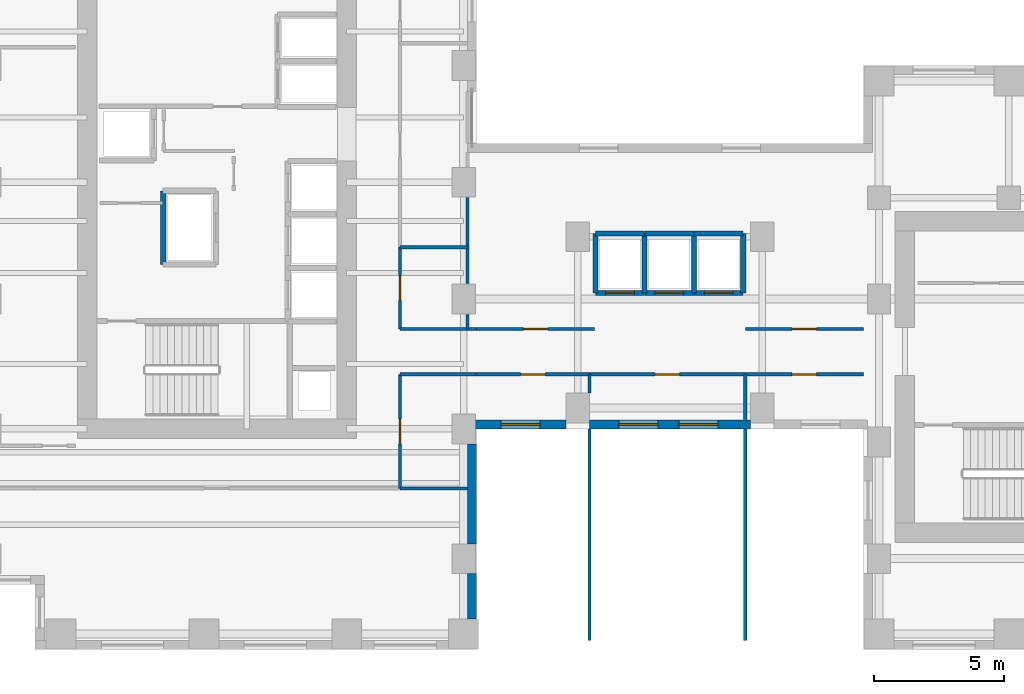
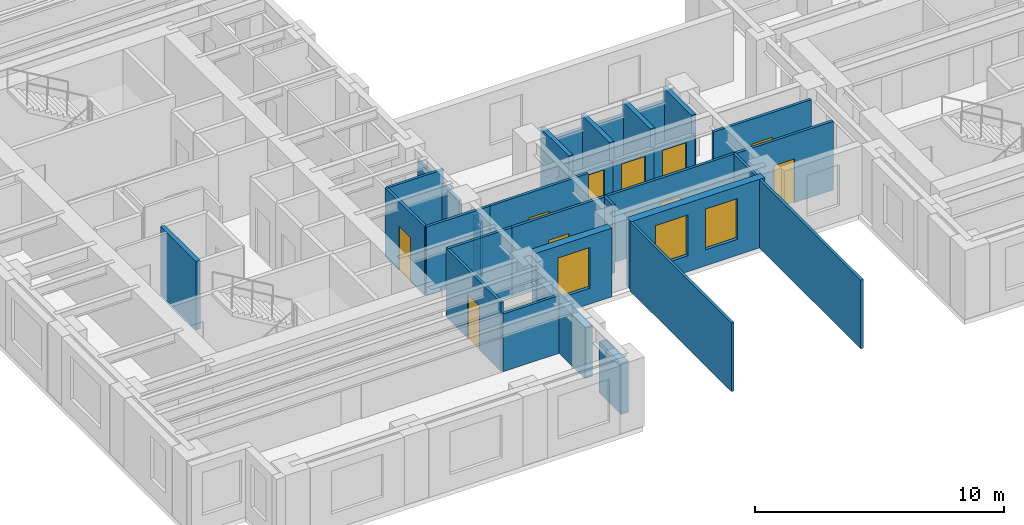
# One storey, part 6 of 13: 32 walls, 10 doors, 3 windows, 13 openings.
"""IFC4 building model written with IfcOpenShell, lengths in metres."""

from ifc_helpers import new_model, si_unit, direction, frame, frame_2d, origin, place, context, subcontext, project, spatial, rectangle, extrude, source, transform, mapped, material, layer, layer_set, type_object, element, fill, save


model = new_model("IFC4")

# Units and contexts
model_context = context("Model", 3, precision=1e-05, world=origin(), true_north=direction((0.0, 1.0)))
body_context = subcontext(model_context, "Body", "Model", "MODEL_VIEW")
ifc_project = project(units=[si_unit("LENGTHUNIT", "METRE"), si_unit("AREAUNIT", "SQUARE_METRE"), si_unit("VOLUMEUNIT", "CUBIC_METRE"), si_unit("PLANEANGLEUNIT", "RADIAN"), si_unit("MASSUNIT", "GRAM", prefix="KILO")], contexts=[model_context])

# Site, building, storey
site_placement = place(None, origin())
site = spatial("IfcSite", under=ifc_project, at=site_placement, CompositionType="ELEMENT")
building_placement = place(site_placement, origin())
building = spatial("IfcBuilding", under=site, at=building_placement, Name="Kharzan Plaza Tower", CompositionType="ELEMENT")
storey_placement = place(building_placement, frame((0.0, 0.0, 109.800048828125)))
storey = spatial("IfcBuildingStorey", under=building, at=storey_placement, Name="L29", CompositionType="ELEMENT", Elevation=109.800048828125)

# Wall, opening, window
ifc_material_1 = material(Name="Concrete C40/50", Category="concrete")
ifc_layer_1 = layer(ifc_material_1, 0.35009765625)
ifc_layer_set_1 = layer_set([ifc_layer_1], Name="Concrete C40/50")
wall_type_1 = type_object("IfcWallType", Name="WL-EXT-MAS-Z2", PredefinedType="SOLIDWALL", material=ifc_layer_set_1)
wall_1_placement = place(storey_placement, frame((19.447998046875, 8.675048828125, 0.0), z_axis=(0.0, 0.0, 1.0), x_axis=(1.0, 0.0, 0.0)))
wall_1 = element("IfcWall", 1, at=wall_1_placement, inside=storey, type_object=wall_type_1, Name="L29 Masonry-Frame Exterior Wall 34", PredefinedType="SOLIDWALL", context=body_context, shape_type="SweptSolid", body=[
    extrude(rectangle(XDim=3.50390625, YDim=0.35009765625, at=frame_2d((1.751953125, 0.0))), origin(), (0.0, 0.0, 1.0), 3.364990234375),
])
opening_1_placement = place(wall_1_placement, frame((1.001953125, 0.0, 0.780029296875)))
opening_1 = element("IfcOpeningElement", 2, at=opening_1_placement, cuts=wall_1, Name="Opening W5", PredefinedType="OPENING", context=body_context, shape_type="SweptSolid", body=[
    extrude(rectangle(XDim=1.5, YDim=2.0, at=frame_2d((0.75, 1.0))), frame((0.0, 0.18505859375, 0.0), z_axis=(0.0, -1.0, 0.0), x_axis=(1.0, 0.0, 0.0)), (0.0, 0.0, 1.0), 0.3701171875),
])
ifc_material_2 = material(Name="Low-E Double Glazing", Category="glass")
window_type = type_object("IfcWindowType", Name="WN-SLT-1500x2000", PartitioningType="SINGLE_PANEL", PredefinedType="WINDOW", material=ifc_material_2)
shared_shape_1 = source(origin(), body_context, "Body", "SweptSolid", [
    extrude(rectangle(XDim=1.5, YDim=2.0, at=frame_2d((0.75, 1.0))), frame((0.0, 0.030029296875, 0.0), z_axis=(0.0, -1.0, 0.0), x_axis=(1.0, 0.0, 0.0)), (0.0, 0.0, 1.0), 0.06005859375),
])
window_1_placement = place(opening_1_placement, origin())
window_1 = element("IfcWindow", 3, at=window_1_placement, inside=storey, type_object=window_type, Name="L29 Recessed Solar-Control Window 34-1", OverallHeight=2.0, OverallWidth=1.5, PartitioningType="SINGLE_PANEL", PredefinedType="WINDOW", context=body_context, shape_type="MappedRepresentation", body=[
    mapped(shared_shape_1, transform((0.0, 0.0, 0.0), x_axis=(1.0, 0.0, 0.0), y_axis=(0.0, 1.0, 0.0), z_axis=(0.0, 0.0, 1.0))),
])
fill(opening_1, window_1)

# Wall, openings, windows
wall_2_placement = place(storey_placement, frame((23.847900390625, 8.675048828125, 0.0), z_axis=(0.0, 0.0, 1.0), x_axis=(1.0, 0.0, 0.0)))
wall_2 = element("IfcWall", 4, at=wall_2_placement, inside=storey, type_object=wall_type_1, Name="L29 Masonry-Frame Exterior Wall 35", PredefinedType="SOLIDWALL", context=body_context, shape_type="SweptSolid", body=[
    extrude(rectangle(XDim=6.2041015625, YDim=0.35009765625, at=frame_2d((3.10205078125, 0.0))), origin(), (0.0, 0.0, 1.0), 3.364990234375),
])
opening_2_placement = place(wall_2_placement, frame((1.130615234375, 0.0, 0.780029296875)))
opening_2 = element("IfcOpeningElement", 5, at=opening_2_placement, cuts=wall_2, Name="Opening W5", PredefinedType="OPENING", context=body_context, shape_type="SweptSolid", body=[
    extrude(rectangle(XDim=1.5, YDim=2.0, at=frame_2d((0.75, 1.0))), frame((0.0, 0.18505859375, 0.0), z_axis=(0.0, -1.0, 0.0), x_axis=(1.0, 0.0, 0.0)), (0.0, 0.0, 1.0), 0.3701171875),
])
opening_3_placement = place(wall_2_placement, frame((3.44140625, 0.0, 0.780029296875)))
opening_3 = element("IfcOpeningElement", 6, at=opening_3_placement, cuts=wall_2, Name="Opening W5", PredefinedType="OPENING", context=body_context, shape_type="SweptSolid", body=[
    extrude(rectangle(XDim=1.5, YDim=2.0, at=frame_2d((0.75, 1.0))), frame((0.0, 0.18505859375, 0.0), z_axis=(0.0, -1.0, 0.0), x_axis=(1.0, 0.0, 0.0)), (0.0, 0.0, 1.0), 0.3701171875),
])
window_2_placement = place(opening_2_placement, origin())
window_2 = element("IfcWindow", 7, at=window_2_placement, inside=storey, type_object=window_type, Name="L29 Recessed Solar-Control Window 35-1", OverallHeight=2.0, OverallWidth=1.5, PartitioningType="SINGLE_PANEL", PredefinedType="WINDOW", context=body_context, shape_type="MappedRepresentation", body=[
    mapped(shared_shape_1, transform((0.0, 0.0, 0.0), x_axis=(1.0, 0.0, 0.0), y_axis=(0.0, 1.0, 0.0), z_axis=(0.0, 0.0, 1.0))),
])
fill(opening_2, window_2)
window_3_placement = place(opening_3_placement, origin())
window_3 = element("IfcWindow", 8, at=window_3_placement, inside=storey, type_object=window_type, Name="L29 Recessed Solar-Control Window 35-2", OverallHeight=2.0, OverallWidth=1.5, PartitioningType="SINGLE_PANEL", PredefinedType="WINDOW", context=body_context, shape_type="MappedRepresentation", body=[
    mapped(shared_shape_1, transform((0.0, 0.0, 0.0), x_axis=(1.0, 0.0, 0.0), y_axis=(0.0, 1.0, 0.0), z_axis=(0.0, 0.0, 1.0))),
])
fill(opening_3, window_3)

# Wall, opening, door
ifc_material_3 = material(Name="Fire-Rated Gypsum Board Partition", Category="gypsum")
ifc_layer_2 = layer(ifc_material_3, 0.125)
ifc_layer_set_2 = layer_set([ifc_layer_2], Name="Fire-Rated Gypsum Board Partition")
wall_type_2 = type_object("IfcWallType", Name="WL-INT-PART-125", PredefinedType="PARTITIONING", material=ifc_layer_set_2)
wall_3_placement = place(storey_placement, frame((16.550048828125, 12.35009765625, 0.0), z_axis=(0.0, 0.0, 1.0), x_axis=(0.0, 1.0, 0.0)))
wall_3 = element("IfcWall", 9, at=wall_3_placement, inside=storey, type_object=wall_type_2, Name="L29 Interior Partition SH-AEWN1", PredefinedType="PARTITIONING", context=body_context, shape_type="SweptSolid", body=[
    extrude(rectangle(XDim=3.14990234375, YDim=0.125, at=frame_2d((1.574951171875, 0.0))), origin(), (0.0, 0.0, 1.0), 3.364990234375),
])
opening_4_placement = place(wall_3_placement, frame((1.10009765625, 0.0, 0.0)))
opening_4 = element("IfcOpeningElement", 10, at=opening_4_placement, cuts=wall_3, Name="Opening OD1", PredefinedType="OPENING", context=body_context, shape_type="SweptSolid", body=[
    extrude(rectangle(XDim=0.949951171875, YDim=2.14990234375, at=frame_2d((0.47509765625, 1.074951171875))), frame((0.0, 0.072509765625, 0.0), z_axis=(0.0, -1.0, 0.0), x_axis=(1.0, 0.0, 0.0)), (0.0, 0.0, 1.0), 0.14501953125),
])
ifc_material_4 = material(Name="Acoustic Solid-Core Stained Oak", Category="timber")
door_type_1 = type_object("IfcDoorType", Name="DR-OFF-SINGLE", OperationType="NOTDEFINED", PredefinedType="DOOR", material=ifc_material_4)
shared_shape_2 = source(origin(), body_context, "Body", "SweptSolid", [
    extrude(rectangle(XDim=0.949951171875, YDim=2.14990234375, at=frame_2d((0.47509765625, 1.074951171875))), frame((0.0, 0.02490234375, 0.0), z_axis=(0.0, -1.0, 0.0), x_axis=(1.0, 0.0, 0.0)), (0.0, 0.0, 1.0), 0.050048828125),
])
door_1_placement = place(opening_4_placement, origin())
door_1 = element("IfcDoor", 11, at=door_1_placement, inside=storey, type_object=door_type_1, Name="L29 Slot Collaboration Door", OperationType="SINGLE_SWING_RIGHT", OverallHeight=2.14990234375, OverallWidth=0.949951171875, PredefinedType="DOOR", context=body_context, shape_type="MappedRepresentation", body=[
    mapped(shared_shape_2, transform((0.0, 0.0, 0.0), x_axis=(1.0, 0.0, 0.0), y_axis=(0.0, 1.0, 0.0), z_axis=(0.0, 0.0, 1.0))),
])
fill(opening_4, door_1)

wall_4_placement = place(storey_placement, frame((16.550048828125, 6.199951171875, 0.0), z_axis=(0.0, 0.0, 1.0), x_axis=(0.0, 1.0, 0.0)))
wall_4 = element("IfcWall", 12, at=wall_4_placement, inside=storey, type_object=wall_type_2, Name="L29 Interior Partition SH-AEWS", PredefinedType="PARTITIONING", context=body_context, shape_type="SweptSolid", body=[
    extrude(rectangle(XDim=4.400146484375, YDim=0.125, at=frame_2d((2.2001953125, 0.0))), origin(), (0.0, 0.0, 1.0), 3.364990234375),
])
opening_5_placement = place(wall_4_placement, frame((1.72509765625, 0.0, 0.0)))
opening_5 = element("IfcOpeningElement", 13, at=opening_5_placement, cuts=wall_4, Name="Opening OD1", PredefinedType="OPENING", context=body_context, shape_type="SweptSolid", body=[
    extrude(rectangle(XDim=0.949951171875, YDim=2.14990234375, at=frame_2d((0.47509765625, 1.074951171875))), frame((0.0, 0.072509765625, 0.0), z_axis=(0.0, -1.0, 0.0), x_axis=(1.0, 0.0, 0.0)), (0.0, 0.0, 1.0), 0.14501953125),
])
door_2_placement = place(opening_5_placement, origin())
door_2 = element("IfcDoor", 14, at=door_2_placement, inside=storey, type_object=door_type_1, Name="L29 Slot South Office Door", OperationType="SINGLE_SWING_LEFT", OverallHeight=2.14990234375, OverallWidth=0.949951171875, PredefinedType="DOOR", context=body_context, shape_type="MappedRepresentation", body=[
    mapped(shared_shape_2, transform((0.0, 0.0, 0.0), x_axis=(1.0, 0.0, 0.0), y_axis=(0.0, 1.0, 0.0), z_axis=(0.0, 0.0, 1.0))),
])
fill(opening_5, door_2)

wall_5_placement = place(storey_placement, frame((29.85009765625, 12.35009765625, 0.0), z_axis=(0.0, 0.0, 1.0), x_axis=(1.0, 0.0, 0.0)))
wall_5 = element("IfcWall", 15, at=wall_5_placement, inside=storey, type_object=wall_type_2, Name="L29 Interior Partition SH-SPNE1", PredefinedType="PARTITIONING", context=body_context, shape_type="SweptSolid", body=[
    extrude(rectangle(XDim=4.5498046875, YDim=0.125, at=frame_2d((2.27490234375, 0.0))), origin(), (0.0, 0.0, 1.0), 3.364990234375),
])
opening_6_placement = place(wall_5_placement, frame((1.800048828125, 0.0, 0.0)))
opening_6 = element("IfcOpeningElement", 16, at=opening_6_placement, cuts=wall_5, Name="Opening OD1", PredefinedType="OPENING", context=body_context, shape_type="SweptSolid", body=[
    extrude(rectangle(XDim=0.949951171875, YDim=2.14990234375, at=frame_2d((0.47509765625, 1.074951171875))), frame((0.0, 0.072509765625, 0.0), z_axis=(0.0, -1.0, 0.0), x_axis=(1.0, 0.0, 0.0)), (0.0, 0.0, 1.0), 0.14501953125),
])
door_3_placement = place(opening_6_placement, origin())
door_3 = element("IfcDoor", 17, at=door_3_placement, inside=storey, type_object=door_type_1, Name="L29 North-East Spine Door", OperationType="SINGLE_SWING_RIGHT", OverallHeight=2.14990234375, OverallWidth=0.949951171875, PredefinedType="DOOR", context=body_context, shape_type="MappedRepresentation", body=[
    mapped(shared_shape_2, transform((0.0, 0.0, 0.0), x_axis=(1.0, 0.0, 0.0), y_axis=(0.0, 1.0, 0.0), z_axis=(0.0, 0.0, 1.0))),
])
fill(opening_6, door_3)

wall_6_placement = place(storey_placement, frame((19.5, 12.35009765625, 0.0), z_axis=(0.0, 0.0, 1.0), x_axis=(1.0, 0.0, 0.0)))
wall_6 = element("IfcWall", 18, at=wall_6_placement, inside=storey, type_object=wall_type_2, Name="L29 Interior Partition SH-SPNW1", PredefinedType="PARTITIONING", context=body_context, shape_type="SweptSolid", body=[
    extrude(rectangle(XDim=4.550048828125, YDim=0.125, at=frame_2d((2.27490234375, 0.0))), origin(), (0.0, 0.0, 1.0), 3.364990234375),
])
opening_7_placement = place(wall_6_placement, frame((1.800048828125, 0.0, 0.0)))
opening_7 = element("IfcOpeningElement", 19, at=opening_7_placement, cuts=wall_6, Name="Opening OD1", PredefinedType="OPENING", context=body_context, shape_type="SweptSolid", body=[
    extrude(rectangle(XDim=0.949951171875, YDim=2.14990234375, at=frame_2d((0.47509765625, 1.074951171875))), frame((0.0, 0.072509765625, 0.0), z_axis=(0.0, -1.0, 0.0), x_axis=(1.0, 0.0, 0.0)), (0.0, 0.0, 1.0), 0.14501953125),
])
door_4_placement = place(opening_7_placement, origin())
door_4 = element("IfcDoor", 20, at=door_4_placement, inside=storey, type_object=door_type_1, Name="L29 North-West Spine Door", OperationType="SINGLE_SWING_LEFT", OverallHeight=2.14990234375, OverallWidth=0.949951171875, PredefinedType="DOOR", context=body_context, shape_type="MappedRepresentation", body=[
    mapped(shared_shape_2, transform((0.0, 0.0, 0.0), x_axis=(1.0, 0.0, 0.0), y_axis=(0.0, 1.0, 0.0), z_axis=(0.0, 0.0, 1.0))),
])
fill(opening_7, door_4)

wall_7_placement = place(storey_placement, frame((19.5, 10.60009765625, 0.0), z_axis=(0.0, 0.0, 1.0), x_axis=(1.0, 0.0, 0.0)))
wall_7 = element("IfcWall", 21, at=wall_7_placement, inside=storey, type_object=wall_type_2, Name="L29 Interior Partition SH-SPS1", PredefinedType="PARTITIONING", context=body_context, shape_type="SweptSolid", body=[
    extrude(rectangle(XDim=4.35009765625, YDim=0.125, at=frame_2d((2.175048828125, 0.0))), origin(), (0.0, 0.0, 1.0), 3.364990234375),
])
opening_8_placement = place(wall_7_placement, frame((1.699951171875, 0.0, 0.0)))
opening_8 = element("IfcOpeningElement", 22, at=opening_8_placement, cuts=wall_7, Name="Opening OD1", PredefinedType="OPENING", context=body_context, shape_type="SweptSolid", body=[
    extrude(rectangle(XDim=0.949951171875, YDim=2.14990234375, at=frame_2d((0.47509765625, 1.074951171875))), frame((0.0, 0.072509765625, 0.0), z_axis=(0.0, -1.0, 0.0), x_axis=(1.0, 0.0, 0.0)), (0.0, 0.0, 1.0), 0.14501953125),
])
door_5_placement = place(opening_8_placement, origin())
door_5 = element("IfcDoor", 23, at=door_5_placement, inside=storey, type_object=door_type_1, Name="L29 Spine Studio 1 Door", OperationType="SINGLE_SWING_RIGHT", OverallHeight=2.14990234375, OverallWidth=0.949951171875, PredefinedType="DOOR", context=body_context, shape_type="MappedRepresentation", body=[
    mapped(shared_shape_2, transform((0.0, 0.0, 0.0), x_axis=(1.0, 0.0, 0.0), y_axis=(0.0, 1.0, 0.0), z_axis=(0.0, 0.0, 1.0))),
])
fill(opening_8, door_5)

wall_8_placement = place(storey_placement, frame((23.85009765625, 10.60009765625, 0.0), z_axis=(0.0, 0.0, 1.0), x_axis=(1.0, 0.0, 0.0)))
wall_8 = element("IfcWall", 24, at=wall_8_placement, inside=storey, type_object=wall_type_2, Name="L29 Interior Partition SH-SPS2", PredefinedType="PARTITIONING", context=body_context, shape_type="SweptSolid", body=[
    extrude(rectangle(XDim=6.0, YDim=0.125, at=frame_2d((3.0, 0.0))), origin(), (0.0, 0.0, 1.0), 3.364990234375),
])
opening_9_placement = place(wall_8_placement, frame((2.52490234375, 0.0, 0.0)))
opening_9 = element("IfcOpeningElement", 25, at=opening_9_placement, cuts=wall_8, Name="Opening OD1", PredefinedType="OPENING", context=body_context, shape_type="SweptSolid", body=[
    extrude(rectangle(XDim=0.949951171875, YDim=2.14990234375, at=frame_2d((0.47509765625, 1.074951171875))), frame((0.0, 0.072509765625, 0.0), z_axis=(0.0, -1.0, 0.0), x_axis=(1.0, 0.0, 0.0)), (0.0, 0.0, 1.0), 0.14501953125),
])
door_6_placement = place(opening_9_placement, origin())
door_6 = element("IfcDoor", 26, at=door_6_placement, inside=storey, type_object=door_type_1, Name="L29 Spine Studio 2 Door", OperationType="SINGLE_SWING_LEFT", OverallHeight=2.14990234375, OverallWidth=0.949951171875, PredefinedType="DOOR", context=body_context, shape_type="MappedRepresentation", body=[
    mapped(shared_shape_2, transform((0.0, 0.0, 0.0), x_axis=(1.0, 0.0, 0.0), y_axis=(0.0, 1.0, 0.0), z_axis=(0.0, 0.0, 1.0))),
])
fill(opening_9, door_6)

wall_9_placement = place(storey_placement, frame((29.85009765625, 10.60009765625, 0.0), z_axis=(0.0, 0.0, 1.0), x_axis=(1.0, 0.0, 0.0)))
wall_9 = element("IfcWall", 27, at=wall_9_placement, inside=storey, type_object=wall_type_2, Name="L29 Interior Partition SH-SPS3", PredefinedType="PARTITIONING", context=body_context, shape_type="SweptSolid", body=[
    extrude(rectangle(XDim=4.5498046875, YDim=0.125, at=frame_2d((2.27490234375, 0.0))), origin(), (0.0, 0.0, 1.0), 3.364990234375),
])
opening_10_placement = place(wall_9_placement, frame((1.800048828125, 0.0, 0.0)))
opening_10 = element("IfcOpeningElement", 28, at=opening_10_placement, cuts=wall_9, Name="Opening OD1", PredefinedType="OPENING", context=body_context, shape_type="SweptSolid", body=[
    extrude(rectangle(XDim=0.949951171875, YDim=2.14990234375, at=frame_2d((0.47509765625, 1.074951171875))), frame((0.0, 0.072509765625, 0.0), z_axis=(0.0, -1.0, 0.0), x_axis=(1.0, 0.0, 0.0)), (0.0, 0.0, 1.0), 0.14501953125),
])
door_7_placement = place(opening_10_placement, origin())
door_7 = element("IfcDoor", 29, at=door_7_placement, inside=storey, type_object=door_type_1, Name="L29 Spine Studio 3 Door", OperationType="SINGLE_SWING_RIGHT", OverallHeight=2.14990234375, OverallWidth=0.949951171875, PredefinedType="DOOR", context=body_context, shape_type="MappedRepresentation", body=[
    mapped(shared_shape_2, transform((0.0, 0.0, 0.0), x_axis=(1.0, 0.0, 0.0), y_axis=(0.0, 1.0, 0.0), z_axis=(0.0, 0.0, 1.0))),
])
fill(opening_10, door_7)

ifc_layer_3 = layer(ifc_material_1, 0.199951171875)
ifc_layer_set_3 = layer_set([ifc_layer_3], Name="Concrete C40/50")
wall_type_3 = type_object("IfcWallType", Name="WL-INT-SHAFT-200", PredefinedType="PARTITIONING", material=ifc_layer_set_3)
wall_10_placement = place(storey_placement, frame((24.080078125, 13.72998046875, 0.0), z_axis=(0.0, 0.0, 1.0), x_axis=(1.0, 0.0, 0.0)))
wall_10 = element("IfcWall", 30, at=wall_10_placement, inside=storey, type_object=wall_type_3, Name="L29 Interior Partition SHF-PL-M1-S", PredefinedType="PARTITIONING", context=body_context, shape_type="SweptSolid", body=[
    extrude(rectangle(XDim=1.889892578125, YDim=0.199951171875, at=frame_2d((0.94482421875, 0.0))), origin(), (0.0, 0.0, 1.0), 2.446044921875),
])
opening_11_placement = place(wall_10_placement, frame((0.39501953125, 0.0, 0.0)))
opening_11 = element("IfcOpeningElement", 31, at=opening_11_placement, cuts=wall_10, Name="Opening LD", PredefinedType="OPENING", context=body_context, shape_type="SweptSolid", body=[
    extrude(rectangle(XDim=1.10009765625, YDim=2.199951171875, at=frame_2d((0.550048828125, 1.10009765625))), frame((0.0, 0.10986328125, 0.0), z_axis=(0.0, -1.0, 0.0), x_axis=(1.0, 0.0, 0.0)), (0.0, 0.0, 1.0), 0.219970703125),
])
ifc_material_5 = material(Name="Brushed Stainless Steel", Category="steel")
door_type_2 = type_object("IfcDoorType", Name="DR-LIFT-SLIDE", OperationType="SLIDING_TO_LEFT", PredefinedType="DOOR", material=ifc_material_5)
shared_shape_3 = source(origin(), body_context, "Body", "SweptSolid", [
    extrude(rectangle(XDim=1.10009765625, YDim=2.199951171875, at=frame_2d((0.550048828125, 1.10009765625))), frame((0.0, 0.02490234375, 0.0), z_axis=(0.0, -1.0, 0.0), x_axis=(1.0, 0.0, 0.0)), (0.0, 0.0, 1.0), 0.050048828125),
])
door_8_placement = place(opening_11_placement, origin())
door_8 = element("IfcDoor", 32, at=door_8_placement, inside=storey, type_object=door_type_2, Name="L29 Mid-Rise Passenger Lift PL-M1 Sliding Landing Door", OperationType="SLIDING_TO_LEFT", OverallHeight=2.199951171875, OverallWidth=1.10009765625, PredefinedType="DOOR", context=body_context, shape_type="MappedRepresentation", body=[
    mapped(shared_shape_3, transform((0.0, 0.0, 0.0), x_axis=(1.0, 0.0, 0.0), y_axis=(0.0, 1.0, 0.0), z_axis=(0.0, 0.0, 1.0))),
])
fill(opening_11, door_8)

wall_11_placement = place(storey_placement, frame((25.97998046875, 13.72998046875, 0.0), z_axis=(0.0, 0.0, 1.0), x_axis=(1.0, 0.0, 0.0)))
wall_11 = element("IfcWall", 33, at=wall_11_placement, inside=storey, type_object=wall_type_3, Name="L29 Interior Partition SHF-PL-M2-S", PredefinedType="PARTITIONING", context=body_context, shape_type="SweptSolid", body=[
    extrude(rectangle(XDim=1.89013671875, YDim=0.199951171875, at=frame_2d((0.945068359375, 0.0))), origin(), (0.0, 0.0, 1.0), 2.446044921875),
])
opening_12_placement = place(wall_11_placement, frame((0.39501953125, 0.0, 0.0)))
opening_12 = element("IfcOpeningElement", 34, at=opening_12_placement, cuts=wall_11, Name="Opening LD", PredefinedType="OPENING", context=body_context, shape_type="SweptSolid", body=[
    extrude(rectangle(XDim=1.10009765625, YDim=2.199951171875, at=frame_2d((0.550048828125, 1.10009765625))), frame((0.0, 0.10986328125, 0.0), z_axis=(0.0, -1.0, 0.0), x_axis=(1.0, 0.0, 0.0)), (0.0, 0.0, 1.0), 0.219970703125),
])
door_9_placement = place(opening_12_placement, origin())
door_9 = element("IfcDoor", 35, at=door_9_placement, inside=storey, type_object=door_type_2, Name="L29 Mid-Rise Passenger Lift PL-M2 Sliding Landing Door", OperationType="SLIDING_TO_LEFT", OverallHeight=2.199951171875, OverallWidth=1.10009765625, PredefinedType="DOOR", context=body_context, shape_type="MappedRepresentation", body=[
    mapped(shared_shape_3, transform((0.0, 0.0, 0.0), x_axis=(1.0, 0.0, 0.0), y_axis=(0.0, 1.0, 0.0), z_axis=(0.0, 0.0, 1.0))),
])
fill(opening_12, door_9)

wall_12_placement = place(storey_placement, frame((27.8798828125, 13.72998046875, 0.0), z_axis=(0.0, 0.0, 1.0), x_axis=(1.0, 0.0, 0.0)))
wall_12 = element("IfcWall", 36, at=wall_12_placement, inside=storey, type_object=wall_type_3, Name="L29 Interior Partition SHF-PL-M3-S", PredefinedType="PARTITIONING", context=body_context, shape_type="SweptSolid", body=[
    extrude(rectangle(XDim=1.89013671875, YDim=0.199951171875, at=frame_2d((0.945068359375, 0.0))), origin(), (0.0, 0.0, 1.0), 2.446044921875),
])
opening_13_placement = place(wall_12_placement, frame((0.39501953125, 0.0, 0.0)))
opening_13 = element("IfcOpeningElement", 37, at=opening_13_placement, cuts=wall_12, Name="Opening LD", PredefinedType="OPENING", context=body_context, shape_type="SweptSolid", body=[
    extrude(rectangle(XDim=1.10009765625, YDim=2.199951171875, at=frame_2d((0.550048828125, 1.10009765625))), frame((0.0, 0.10986328125, 0.0), z_axis=(0.0, -1.0, 0.0), x_axis=(1.0, 0.0, 0.0)), (0.0, 0.0, 1.0), 0.219970703125),
])
door_10_placement = place(opening_13_placement, origin())
door_10 = element("IfcDoor", 38, at=door_10_placement, inside=storey, type_object=door_type_2, Name="L29 Mid-Rise Passenger Lift PL-M3 Sliding Landing Door", OperationType="SLIDING_TO_LEFT", OverallHeight=2.199951171875, OverallWidth=1.10009765625, PredefinedType="DOOR", context=body_context, shape_type="MappedRepresentation", body=[
    mapped(shared_shape_3, transform((0.0, 0.0, 0.0), x_axis=(1.0, 0.0, 0.0), y_axis=(0.0, 1.0, 0.0), z_axis=(0.0, 0.0, 1.0))),
])
fill(opening_13, door_10)

# Walls
shared_shape_4 = source(origin(), body_context, "Body", "SweptSolid", [
    extrude(rectangle(XDim=2.949951171875, YDim=0.125, at=frame_2d((1.47509765625, 0.0))), origin(), (0.0, 0.0, 1.0), 3.364990234375),
])
for number, where, z_axis, x_axis, name in (
    (39, (16.550048828125, 12.35009765625, 0.0), (0.0, 0.0, 1.0), (1.0, 0.0, 0.0), "L29 Interior Partition SH-SPNW0"),
    (40, (16.550048828125, 10.60009765625, 0.0), (0.0, 0.0, 1.0), (1.0, 0.0, 0.0), "L29 Interior Partition SH-SPS0"),
):
    element("IfcWall", number, at=place(storey_placement, frame(where, z_axis=z_axis, x_axis=x_axis)), inside=storey, type_object=wall_type_2, Name=name, PredefinedType="PARTITIONING", context=body_context, shape_type="MappedRepresentation", body=[
        mapped(shared_shape_4, transform((0.0, 0.0, 0.0), x_axis=(1.0, 0.0, 0.0), y_axis=(0.0, 1.0, 0.0), z_axis=(0.0, 0.0, 1.0))),
    ])
shared_shape_5 = source(origin(), body_context, "Body", "SweptSolid", [
    extrude(rectangle(XDim=2.597900390625, YDim=0.125, at=frame_2d((1.298828125, 0.0))), origin(), (0.0, 0.0, 1.0), 2.827880859375),
])
wall_13_placement = place(storey_placement, frame((16.550048828125, 6.199951171875, 0.0), z_axis=(0.0, 0.0, 1.0), x_axis=(1.0, 0.0, 0.0)))
element("IfcWall", 41, at=wall_13_placement, inside=storey, type_object=wall_type_2, Name="L29 Interior Partition SH-SSE-1", PredefinedType="PARTITIONING", context=body_context, shape_type="MappedRepresentation", body=[
    mapped(shared_shape_5, transform((0.0, 0.0, 0.0), x_axis=(1.0, 0.0, 0.0), y_axis=(0.0, 1.0, 0.0), z_axis=(0.0, 0.0, 1.0))),
])
shared_shape_6 = source(origin(), body_context, "Body", "SweptSolid", [
    extrude(rectangle(XDim=2.2900390625, YDim=0.199951171875, at=frame_2d((1.14501953125, 0.0))), origin(), (0.0, 0.0, 1.0), 3.364990234375),
])
for number, where, z_axis, x_axis, name in (
    (42, (25.969970703125, 13.72998046875, 0.0), (0.0, 0.0, 1.0), (0.0, 1.0, 0.0), "L29 Interior Partition SHF-PL-M1-E"),
    (43, (24.080078125, 13.72998046875, 0.0), (0.0, 0.0, 1.0), (0.0, 1.0, 0.0), "L29 Interior Partition SHF-PL-M1-W"),
    (44, (27.8701171875, 13.72998046875, 0.0), (0.0, 0.0, 1.0), (0.0, 1.0, 0.0), "L29 Interior Partition SHF-PL-M2-E"),
    (45, (29.77001953125, 13.72998046875, 0.0), (0.0, 0.0, 1.0), (0.0, 1.0, 0.0), "L29 Interior Partition SHF-PL-M3-E"),
):
    element("IfcWall", number, at=place(storey_placement, frame(where, z_axis=z_axis, x_axis=x_axis)), inside=storey, type_object=wall_type_3, Name=name, PredefinedType="PARTITIONING", context=body_context, shape_type="MappedRepresentation", body=[
        mapped(shared_shape_6, transform((0.0, 0.0, 0.0), x_axis=(1.0, 0.0, 0.0), y_axis=(0.0, 1.0, 0.0), z_axis=(0.0, 0.0, 1.0))),
    ])
shared_shape_7 = source(origin(), body_context, "Body", "SweptSolid", [
    extrude(rectangle(XDim=2.83984375, YDim=0.199951171875, at=frame_2d((1.419921875, 0.0))), origin(), (0.0, 0.0, 1.0), 3.364990234375),
])
wall_14_placement = place(storey_placement, frame((7.429931640625, 14.830078125, 0.0), z_axis=(0.0, 0.0, 1.0), x_axis=(0.0, 1.0, 0.0)))
element("IfcWall", 46, at=wall_14_placement, inside=storey, type_object=wall_type_3, Name="L29 Interior Partition SHF-SVL-1-W", PredefinedType="PARTITIONING", context=body_context, shape_type="MappedRepresentation", body=[
    mapped(shared_shape_7, transform((0.0, 0.0, 0.0), x_axis=(1.0, 0.0, 0.0), y_axis=(0.0, 1.0, 0.0), z_axis=(0.0, 0.0, 1.0))),
])
shared_shape_8 = source(origin(), body_context, "Body", "SweptSolid", [
    extrude(rectangle(XDim=8.14794921875, YDim=0.125, at=frame_2d((4.073974609375, 0.0))), origin(), (0.0, 0.0, 1.0), 3.364990234375),
])
for number, where, z_axis, x_axis, name in (
    (47, (23.85009765625, 0.35009765625, 0.0), (0.0, 0.0, 1.0), (0.0, 1.0, 0.0), "L29 Interior Partition SH-SPSV1-S1"),
    (48, (29.85009765625, 0.35009765625, 0.0), (0.0, 0.0, 1.0), (0.0, 1.0, 0.0), "L29 Interior Partition SH-SPSV2-S1"),
):
    element("IfcWall", number, at=place(storey_placement, frame(where, z_axis=z_axis, x_axis=x_axis)), inside=storey, type_object=wall_type_2, Name=name, PredefinedType="PARTITIONING", context=body_context, shape_type="MappedRepresentation", body=[
        mapped(shared_shape_8, transform((0.0, 0.0, 0.0), x_axis=(1.0, 0.0, 0.0), y_axis=(0.0, 1.0, 0.0), z_axis=(0.0, 0.0, 1.0))),
    ])
shared_shape_9 = source(origin(), body_context, "Body", "SweptSolid", [
    extrude(rectangle(XDim=1.748046875, YDim=0.125, at=frame_2d((0.8740234375, 0.0))), origin(), (0.0, 0.0, 1.0), 3.364990234375),
])
wall_15_placement = place(storey_placement, frame((29.85009765625, 8.85205078125, 0.0), z_axis=(0.0, 0.0, 1.0), x_axis=(0.0, 1.0, 0.0)))
element("IfcWall", 49, at=wall_15_placement, inside=storey, type_object=wall_type_2, Name="L29 Interior Partition SH-SPSV2-S2", PredefinedType="PARTITIONING", context=body_context, shape_type="MappedRepresentation", body=[
    mapped(shared_shape_9, transform((0.0, 0.0, 0.0), x_axis=(1.0, 0.0, 0.0), y_axis=(0.0, 1.0, 0.0), z_axis=(0.0, 0.0, 1.0))),
])
shared_shape_10 = source(origin(), body_context, "Body", "SweptSolid", [
    extrude(rectangle(XDim=2.599853515625, YDim=0.125, at=frame_2d((1.2998046875, 0.0))), origin(), (0.0, 0.0, 1.0), 3.364990234375),
])
wall_16_placement = place(storey_placement, frame((16.550048828125, 15.5, 0.0), z_axis=(0.0, 0.0, 1.0), x_axis=(1.0, 0.0, 0.0)))
element("IfcWall", 50, at=wall_16_placement, inside=storey, type_object=wall_type_2, Name="L29 Interior Partition SH-AEH-155", PredefinedType="PARTITIONING", context=body_context, shape_type="MappedRepresentation", body=[
    mapped(shared_shape_10, transform((0.0, 0.0, 0.0), x_axis=(1.0, 0.0, 0.0), y_axis=(0.0, 1.0, 0.0), z_axis=(0.0, 0.0, 1.0))),
])
shared_shape_11 = source(origin(), body_context, "Body", "SweptSolid", [
    extrude(rectangle(XDim=1.75390625, YDim=0.35009765625, at=frame_2d((0.876953125, 0.0))), origin(), (0.0, 0.0, 1.0), 2.51904296875),
])
wall_17_placement = place(storey_placement, frame((19.324951171875, 1.173095703125, 0.0), z_axis=(0.0, 0.0, 1.0), x_axis=(0.0, 1.0, 0.0)))
element("IfcWall", 51, at=wall_17_placement, inside=storey, type_object=wall_type_1, Name="L29 Masonry-Frame Exterior Wall 32", PredefinedType="SOLIDWALL", context=body_context, shape_type="MappedRepresentation", body=[
    mapped(shared_shape_11, transform((0.0, 0.0, 0.0), x_axis=(1.0, 0.0, 0.0), y_axis=(0.0, 1.0, 0.0), z_axis=(0.0, 0.0, 1.0))),
])
shared_shape_12 = source(origin(), body_context, "Body", "SweptSolid", [
    extrude(rectangle(XDim=0.559814453125, YDim=0.125, at=frame_2d((0.27978515625, 0.0))), origin(), (0.0, 0.0, 1.0), 2.677001953125),
])
wall_18_placement = place(storey_placement, frame((19.14990234375, 12.35009765625, 0.0), z_axis=(0.0, 0.0, 1.0), x_axis=(0.0, 1.0, 0.0)))
element("IfcWall", 52, at=wall_18_placement, inside=storey, type_object=wall_type_2, Name="L29 Interior Partition SH-AEN-DIV-S1", PredefinedType="PARTITIONING", context=body_context, shape_type="MappedRepresentation", body=[
    mapped(shared_shape_12, transform((0.0, 0.0, 0.0), x_axis=(1.0, 0.0, 0.0), y_axis=(0.0, 1.0, 0.0), z_axis=(0.0, 0.0, 1.0))),
])
shared_shape_13 = source(origin(), body_context, "Body", "SweptSolid", [
    extrude(rectangle(XDim=3.31982421875, YDim=0.125, at=frame_2d((1.659912109375, 0.0))), origin(), (0.0, 0.0, 1.0), 2.677001953125),
])
wall_19_placement = place(storey_placement, frame((19.14990234375, 14.090087890625, 0.0), z_axis=(0.0, 0.0, 1.0), x_axis=(0.0, 1.0, 0.0)))
element("IfcWall", 53, at=wall_19_placement, inside=storey, type_object=wall_type_2, Name="L29 Interior Partition SH-AEN-DIV-S2", PredefinedType="PARTITIONING", context=body_context, shape_type="MappedRepresentation", body=[
    mapped(shared_shape_13, transform((0.0, 0.0, 0.0), x_axis=(1.0, 0.0, 0.0), y_axis=(0.0, 1.0, 0.0), z_axis=(0.0, 0.0, 1.0))),
])
shared_shape_14 = source(origin(), body_context, "Body", "SweptSolid", [
    extrude(rectangle(XDim=1.889892578125, YDim=0.199951171875, at=frame_2d((0.94482421875, 0.0))), origin(), (0.0, 0.0, 1.0), 2.677001953125),
])
wall_20_placement = place(storey_placement, frame((24.080078125, 16.02001953125, 0.0), z_axis=(0.0, 0.0, 1.0), x_axis=(1.0, 0.0, 0.0)))
element("IfcWall", 54, at=wall_20_placement, inside=storey, type_object=wall_type_3, Name="L29 Interior Partition SHF-PL-M1-N", PredefinedType="PARTITIONING", context=body_context, shape_type="MappedRepresentation", body=[
    mapped(shared_shape_14, transform((0.0, 0.0, 0.0), x_axis=(1.0, 0.0, 0.0), y_axis=(0.0, 1.0, 0.0), z_axis=(0.0, 0.0, 1.0))),
])
shared_shape_15 = source(origin(), body_context, "Body", "SweptSolid", [
    extrude(rectangle(XDim=1.89013671875, YDim=0.199951171875, at=frame_2d((0.945068359375, 0.0))), origin(), (0.0, 0.0, 1.0), 2.677001953125),
])
for number, where, z_axis, x_axis, name in (
    (55, (25.97998046875, 16.02001953125, 0.0), (0.0, 0.0, 1.0), (1.0, 0.0, 0.0), "L29 Interior Partition SHF-PL-M2-N"),
    (56, (27.8798828125, 16.02001953125, 0.0), (0.0, 0.0, 1.0), (1.0, 0.0, 0.0), "L29 Interior Partition SHF-PL-M3-N"),
):
    element("IfcWall", number, at=place(storey_placement, frame(where, z_axis=z_axis, x_axis=x_axis)), inside=storey, type_object=wall_type_3, Name=name, PredefinedType="PARTITIONING", context=body_context, shape_type="MappedRepresentation", body=[
        mapped(shared_shape_15, transform((0.0, 0.0, 0.0), x_axis=(1.0, 0.0, 0.0), y_axis=(0.0, 1.0, 0.0), z_axis=(0.0, 0.0, 1.0))),
    ])
shared_shape_16 = source(origin(), body_context, "Body", "SweptSolid", [
    extrude(rectangle(XDim=0.710205078125, YDim=0.125, at=frame_2d((0.35498046875, 0.0))), origin(), (0.0, 0.0, 1.0), 3.364990234375),
])
wall_21_placement = place(storey_placement, frame((23.85009765625, 9.889892578125, 0.0), z_axis=(0.0, 0.0, 1.0), x_axis=(0.0, 1.0, 0.0)))
element("IfcWall", 57, at=wall_21_placement, inside=storey, type_object=wall_type_2, Name="L29 Interior Partition SH-SPSV1-S2", PredefinedType="PARTITIONING", context=body_context, shape_type="MappedRepresentation", body=[
    mapped(shared_shape_16, transform((0.0, 0.0, 0.0), x_axis=(1.0, 0.0, 0.0), y_axis=(0.0, 1.0, 0.0), z_axis=(0.0, 0.0, 1.0))),
])
shared_shape_17 = source(origin(), body_context, "Body", "SweptSolid", [
    extrude(rectangle(XDim=3.85400390625, YDim=0.35009765625, at=frame_2d((1.927001953125, 0.0))), origin(), (0.0, 0.0, 1.0), 2.51904296875),
])
wall_22_placement = place(storey_placement, frame((19.324951171875, 4.072998046875, 0.0), z_axis=(0.0, 0.0, 1.0), x_axis=(0.0, 1.0, 0.0)))
element("IfcWall", 58, at=wall_22_placement, inside=storey, type_object=wall_type_1, Name="L29 Masonry-Frame Exterior Wall 33", PredefinedType="SOLIDWALL", context=body_context, shape_type="MappedRepresentation", body=[
    mapped(shared_shape_17, transform((0.0, 0.0, 0.0), x_axis=(1.0, 0.0, 0.0), y_axis=(0.0, 1.0, 0.0), z_axis=(0.0, 0.0, 1.0))),
])

save(model, "model.ifc")
